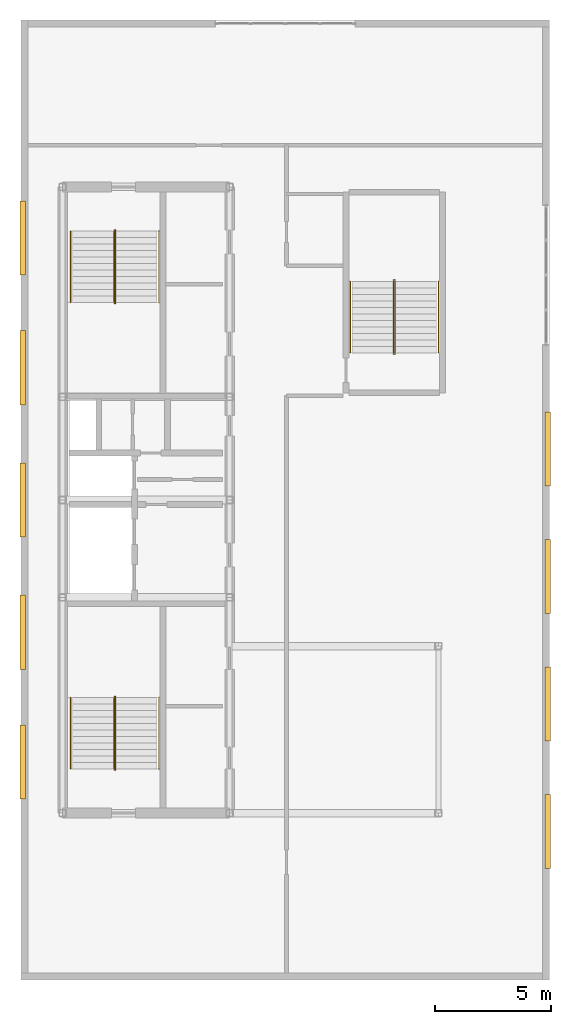
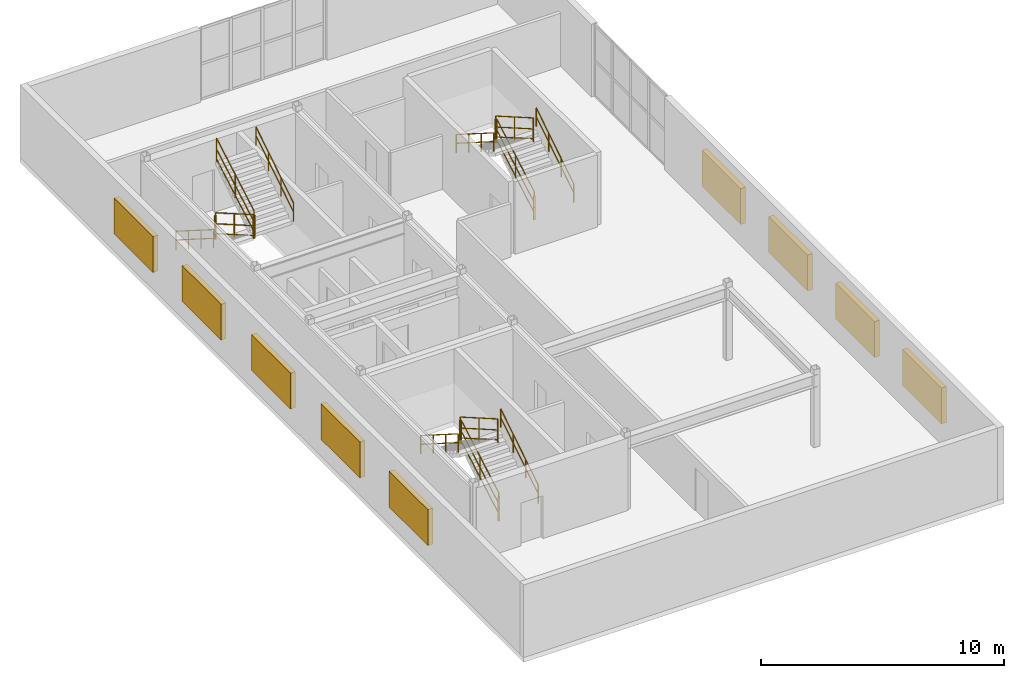
# One storey, part 7 of 7: 18 railings, 9 shading devices.
"""IFC4 building model written with IfcOpenShell, lengths in metres."""

from ifc_helpers import new_model, entity, si_unit, converted_unit, direction, frame, origin_with_axes, origin_2d_with_axis, place, context, subcontext, project, spatial, rectangle, circle, extrude, material, type_object, element, save


model = new_model("IFC4")

# Units and contexts
model_context = context("Model", 3, precision=1e-05, world=origin_with_axes(), true_north=direction((0.0, 1.0)))
body_context = subcontext(model_context, "Body", "Model", "MODEL_VIEW")
ifc_project = project(units=[si_unit("LENGTHUNIT", "METRE"), si_unit("AREAUNIT", "SQUARE_METRE"), si_unit("VOLUMEUNIT", "CUBIC_METRE"), converted_unit("PLANEANGLEUNIT", "DEGREE", entity("IfcPlaneAngleMeasure", 0.017453292519943295), si_unit("PLANEANGLEUNIT", "RADIAN"), dimensions=[0, 0, 0, 0, 0, 0, 0]), si_unit("MASSUNIT", "GRAM", prefix="KILO"), si_unit("THERMODYNAMICTEMPERATUREUNIT", "KELVIN")], contexts=[model_context])

# Site, building, storey
site_placement = place(None, origin_with_axes())
site = spatial("IfcSite", under=ifc_project, at=site_placement, CompositionType="ELEMENT")
building_placement = place(site_placement, origin_with_axes())
building = spatial("IfcBuilding", under=site, at=building_placement, Name="Varnlund Millrace Tower", CompositionType="ELEMENT")
storey_placement = place(building_placement, frame((0.0, 0.0, 312.6), z_axis=(0.0, 0.0, 1.0), x_axis=(1.0, 0.0, 0.0)))
storey = spatial("IfcBuildingStorey", under=building, at=storey_placement, Name="L77", CompositionType="ELEMENT", Elevation=312.6)

# Shading devices
ifc_material_1 = material(Name="Architectural bronze cold-climate intake louvre", Category="aluminium")
shading_device_type = type_object("IfcShadingDeviceType", Name="Type-Shade-CrownLouvre-JAL", PredefinedType="JALOUSIE", material=ifc_material_1)
for number, where, z_axis, x_axis, name in (
    (1, (9.68, 13.0, 0.9), (0.0, 0.0, 1.0), (0.0, 1.0, 0.0), "Type-Shade-CrownLouvre-JAL"),
    (2, (9.68, 18.6, 0.9), (0.0, 0.0, 1.0), (0.0, 1.0, 0.0), "Type-Shade-CrownLouvre-JAL"),
    (3, (9.68, 24.3, 0.9), (0.0, 0.0, 1.0), (0.0, 1.0, 0.0), "Type-Shade-CrownLouvre-JAL"),
    (4, (9.68, 30.0, 0.9), (0.0, 0.0, 1.0), (0.0, 1.0, 0.0), "Type-Shade-CrownLouvre-JAL"),
    (5, (9.68, 35.6, 0.9), (0.0, 0.0, 1.0), (0.0, 1.0, 0.0), "Type-Shade-CrownLouvre-JAL"),
    (6, (32.32, 10.0, 0.9), (0.0, 0.0, 1.0), (0.0, 1.0, 0.0), "Type-Shade-CrownLouvre-JAL"),
    (7, (32.32, 15.5, 0.9), (0.0, 0.0, 1.0), (0.0, 1.0, 0.0), "Type-Shade-CrownLouvre-JAL"),
    (8, (32.32, 21.0, 0.9), (0.0, 0.0, 1.0), (0.0, 1.0, 0.0), "Type-Shade-CrownLouvre-JAL"),
    (9, (32.32, 26.5, 0.9), (0.0, 0.0, 1.0), (0.0, 1.0, 0.0), "Type-Shade-CrownLouvre-JAL"),
):
    element("IfcShadingDevice", number, at=place(storey_placement, frame(where, z_axis=z_axis, x_axis=x_axis)), inside=storey, type_object=shading_device_type, Name=name, PredefinedType="JALOUSIE", context=body_context, shape_type="SweptSolid", body=[
        extrude(rectangle(XDim=3.2, YDim=0.24, at=origin_2d_with_axis()), origin_with_axes(), (0.0, 0.0, 1.0), 1.8),
    ])

# Railings
ifc_material_2 = material(Name="Painted steel stair well balustrade guard", Category="steel")
railing_type_1 = type_object("IfcRailingType", Name="Type-StairGuard-1150", PredefinedType="GUARDRAIL", material=ifc_material_2)
railing_1_placement = place(storey_placement, frame((0.0, 0.0, -312.6), z_axis=(0.0, 0.0, 1.0), x_axis=(1.0, 0.0, 0.0)))
element("IfcRailing", 10, at=railing_1_placement, inside=storey, type_object=railing_type_1, Name="Type-StairGuard-1150", PredefinedType="GUARDRAIL", context=body_context, shape_type="SweptSolid", body=[
    extrude(circle(Radius=0.024, at=origin_2d_with_axis()), frame((13.675, 12.7, 313.927273), z_axis=(0.0, 0.866696, 0.498836), x_axis=(-1.0, 0.0, 0.0)), (0.0, 0.0, 1.0), 3.553725),
    extrude(circle(Radius=0.024, at=origin_2d_with_axis()), frame((13.675, 12.7, 312.877273), z_axis=(0.0, 0.866696, 0.498836), x_axis=(-1.0, 0.0, 0.0)), (0.0, 0.0, 1.0), 3.553725),
    extrude(circle(Radius=0.024, at=origin_2d_with_axis()), frame((13.675, 12.7, 313.375273), z_axis=(0.0, 0.866696, 0.498836), x_axis=(-1.0, 0.0, 0.0)), (0.0, 0.0, 1.0), 3.553725),
    extrude(rectangle(XDim=0.04, YDim=0.04, at=origin_2d_with_axis()), frame((13.675, 12.7, 312.737273), z_axis=(0.0, 0.0, 1.0), x_axis=(1.0, 0.0, 0.0)), (0.0, 0.0, 1.0), 1.19),
    extrude(rectangle(XDim=0.04, YDim=0.04, at=origin_2d_with_axis()), frame((13.675, 14.24, 313.623636), z_axis=(0.0, 0.0, 1.0), x_axis=(1.0, 0.0, 0.0)), (0.0, 0.0, 1.0), 1.19),
    extrude(rectangle(XDim=0.04, YDim=0.04, at=origin_2d_with_axis()), frame((13.675, 15.78, 314.51), z_axis=(0.0, 0.0, 1.0), x_axis=(1.0, 0.0, 0.0)), (0.0, 0.0, 1.0), 1.19),
])
railing_2_placement = place(storey_placement, frame((0.0, 0.0, -312.6), z_axis=(0.0, 0.0, 1.0), x_axis=(1.0, 0.0, 0.0)))
element("IfcRailing", 11, at=railing_2_placement, inside=storey, type_object=railing_type_1, Name="Type-StairGuard-1150", PredefinedType="GUARDRAIL", context=body_context, shape_type="SweptSolid", body=[
    extrude(circle(Radius=0.024, at=origin_2d_with_axis()), frame((13.625, 15.83, 315.7), z_axis=(1.0, 0.0, 0.0), x_axis=(0.0, 1.0, 0.0)), (0.0, 0.0, 1.0), 0.05),
    extrude(circle(Radius=0.024, at=origin_2d_with_axis()), frame((13.625, 15.83, 314.65), z_axis=(1.0, 0.0, 0.0), x_axis=(0.0, 1.0, 0.0)), (0.0, 0.0, 1.0), 0.05),
    extrude(circle(Radius=0.024, at=origin_2d_with_axis()), frame((13.625, 15.83, 315.148), z_axis=(1.0, 0.0, 0.0), x_axis=(0.0, 1.0, 0.0)), (0.0, 0.0, 1.0), 0.05),
    extrude(rectangle(XDim=0.04, YDim=0.04, at=origin_2d_with_axis()), frame((13.625, 15.83, 314.51), z_axis=(0.0, 0.0, 1.0), x_axis=(1.0, 0.0, 0.0)), (0.0, 0.0, 1.0), 1.19),
    extrude(rectangle(XDim=0.04, YDim=0.04, at=origin_2d_with_axis()), frame((13.675, 15.83, 314.51), z_axis=(0.0, 0.0, 1.0), x_axis=(1.0, 0.0, 0.0)), (0.0, 0.0, 1.0), 1.19),
])
railing_3_placement = place(storey_placement, frame((0.0, 0.0, -312.6), z_axis=(0.0, 0.0, 1.0), x_axis=(1.0, 0.0, 0.0)))
element("IfcRailing", 12, at=railing_3_placement, inside=storey, type_object=railing_type_1, Name="Type-StairGuard-1150", PredefinedType="GUARDRAIL", context=body_context, shape_type="SweptSolid", body=[
    extrude(circle(Radius=0.024, at=origin_2d_with_axis()), frame((13.625, 15.78, 315.877273), z_axis=(0.0, -0.866696, 0.498836), x_axis=(1.0, 0.0, 0.0)), (0.0, 0.0, 1.0), 3.553725),
    extrude(circle(Radius=0.024, at=origin_2d_with_axis()), frame((13.625, 15.78, 314.827273), z_axis=(0.0, -0.866696, 0.498836), x_axis=(1.0, 0.0, 0.0)), (0.0, 0.0, 1.0), 3.553725),
    extrude(circle(Radius=0.024, at=origin_2d_with_axis()), frame((13.625, 15.78, 315.325273), z_axis=(0.0, -0.866696, 0.498836), x_axis=(1.0, 0.0, 0.0)), (0.0, 0.0, 1.0), 3.553725),
    extrude(rectangle(XDim=0.04, YDim=0.04, at=origin_2d_with_axis()), frame((13.625, 15.78, 314.687273), z_axis=(0.0, 0.0, 1.0), x_axis=(1.0, 0.0, 0.0)), (0.0, 0.0, 1.0), 1.19),
    extrude(rectangle(XDim=0.04, YDim=0.04, at=origin_2d_with_axis()), frame((13.625, 14.24, 315.573636), z_axis=(0.0, 0.0, 1.0), x_axis=(1.0, 0.0, 0.0)), (0.0, 0.0, 1.0), 1.19),
    extrude(rectangle(XDim=0.04, YDim=0.04, at=origin_2d_with_axis()), frame((13.625, 12.7, 316.46), z_axis=(0.0, 0.0, 1.0), x_axis=(1.0, 0.0, 0.0)), (0.0, 0.0, 1.0), 1.19),
])
railing_4_placement = place(storey_placement, frame((0.0, 0.0, -312.6), z_axis=(0.0, 0.0, 1.0), x_axis=(1.0, 0.0, 0.0)))
element("IfcRailing", 13, at=railing_4_placement, inside=storey, type_object=railing_type_1, Name="Type-StairGuard-1150", PredefinedType="GUARDRAIL", context=body_context, shape_type="SweptSolid", body=[
    extrude(circle(Radius=0.024, at=origin_2d_with_axis()), frame((13.625, 12.65, 313.75), z_axis=(1.0, 0.0, 0.0), x_axis=(0.0, 1.0, 0.0)), (0.0, 0.0, 1.0), 0.05),
    extrude(circle(Radius=0.024, at=origin_2d_with_axis()), frame((13.625, 12.65, 312.7), z_axis=(1.0, 0.0, 0.0), x_axis=(0.0, 1.0, 0.0)), (0.0, 0.0, 1.0), 0.05),
    extrude(circle(Radius=0.024, at=origin_2d_with_axis()), frame((13.625, 12.65, 313.198), z_axis=(1.0, 0.0, 0.0), x_axis=(0.0, 1.0, 0.0)), (0.0, 0.0, 1.0), 0.05),
    extrude(rectangle(XDim=0.04, YDim=0.04, at=origin_2d_with_axis()), frame((13.625, 12.65, 312.56), z_axis=(0.0, 0.0, 1.0), x_axis=(1.0, 0.0, 0.0)), (0.0, 0.0, 1.0), 1.19),
    extrude(rectangle(XDim=0.04, YDim=0.04, at=origin_2d_with_axis()), frame((13.675, 12.65, 312.56), z_axis=(0.0, 0.0, 1.0), x_axis=(1.0, 0.0, 0.0)), (0.0, 0.0, 1.0), 1.19),
])
railing_5_placement = place(storey_placement, frame((0.0, 0.0, -312.6), z_axis=(0.0, 0.0, 1.0), x_axis=(1.0, 0.0, 0.0)))
element("IfcRailing", 14, at=railing_5_placement, inside=storey, type_object=railing_type_1, Name="Type-StairGuard-1150", PredefinedType="GUARDRAIL", context=body_context, shape_type="SweptSolid", body=[
    extrude(circle(Radius=0.024, at=origin_2d_with_axis()), frame((13.625, 35.9, 313.927273), z_axis=(0.0, -0.866696, 0.498836), x_axis=(1.0, 0.0, 0.0)), (0.0, 0.0, 1.0), 3.553725),
    extrude(circle(Radius=0.024, at=origin_2d_with_axis()), frame((13.625, 35.9, 312.877273), z_axis=(0.0, -0.866696, 0.498836), x_axis=(1.0, 0.0, 0.0)), (0.0, 0.0, 1.0), 3.553725),
    extrude(circle(Radius=0.024, at=origin_2d_with_axis()), frame((13.625, 35.9, 313.375273), z_axis=(0.0, -0.866696, 0.498836), x_axis=(1.0, 0.0, 0.0)), (0.0, 0.0, 1.0), 3.553725),
    extrude(rectangle(XDim=0.04, YDim=0.04, at=origin_2d_with_axis()), frame((13.625, 35.9, 312.737273), z_axis=(0.0, 0.0, 1.0), x_axis=(1.0, 0.0, 0.0)), (0.0, 0.0, 1.0), 1.19),
    extrude(rectangle(XDim=0.04, YDim=0.04, at=origin_2d_with_axis()), frame((13.625, 34.36, 313.623636), z_axis=(0.0, 0.0, 1.0), x_axis=(1.0, 0.0, 0.0)), (0.0, 0.0, 1.0), 1.19),
    extrude(rectangle(XDim=0.04, YDim=0.04, at=origin_2d_with_axis()), frame((13.625, 32.82, 314.51), z_axis=(0.0, 0.0, 1.0), x_axis=(1.0, 0.0, 0.0)), (0.0, 0.0, 1.0), 1.19),
])
railing_6_placement = place(storey_placement, frame((0.0, 0.0, -312.6), z_axis=(0.0, 0.0, 1.0), x_axis=(1.0, 0.0, 0.0)))
element("IfcRailing", 15, at=railing_6_placement, inside=storey, type_object=railing_type_1, Name="Type-StairGuard-1150", PredefinedType="GUARDRAIL", context=body_context, shape_type="SweptSolid", body=[
    extrude(circle(Radius=0.024, at=origin_2d_with_axis()), frame((13.675, 32.77, 315.7), z_axis=(-1.0, 0.0, 0.0), x_axis=(0.0, -1.0, 0.0)), (0.0, 0.0, 1.0), 0.05),
    extrude(circle(Radius=0.024, at=origin_2d_with_axis()), frame((13.675, 32.77, 314.65), z_axis=(-1.0, 0.0, 0.0), x_axis=(0.0, -1.0, 0.0)), (0.0, 0.0, 1.0), 0.05),
    extrude(circle(Radius=0.024, at=origin_2d_with_axis()), frame((13.675, 32.77, 315.148), z_axis=(-1.0, 0.0, 0.0), x_axis=(0.0, -1.0, 0.0)), (0.0, 0.0, 1.0), 0.05),
    extrude(rectangle(XDim=0.04, YDim=0.04, at=origin_2d_with_axis()), frame((13.675, 32.77, 314.51), z_axis=(0.0, 0.0, 1.0), x_axis=(1.0, 0.0, 0.0)), (0.0, 0.0, 1.0), 1.19),
    extrude(rectangle(XDim=0.04, YDim=0.04, at=origin_2d_with_axis()), frame((13.625, 32.77, 314.51), z_axis=(0.0, 0.0, 1.0), x_axis=(1.0, 0.0, 0.0)), (0.0, 0.0, 1.0), 1.19),
])
railing_7_placement = place(storey_placement, frame((0.0, 0.0, -312.6), z_axis=(0.0, 0.0, 1.0), x_axis=(1.0, 0.0, 0.0)))
element("IfcRailing", 16, at=railing_7_placement, inside=storey, type_object=railing_type_1, Name="Type-StairGuard-1150", PredefinedType="GUARDRAIL", context=body_context, shape_type="SweptSolid", body=[
    extrude(circle(Radius=0.024, at=origin_2d_with_axis()), frame((13.675, 32.82, 315.877273), z_axis=(0.0, 0.866696, 0.498836), x_axis=(-1.0, 0.0, 0.0)), (0.0, 0.0, 1.0), 3.553725),
    extrude(circle(Radius=0.024, at=origin_2d_with_axis()), frame((13.675, 32.82, 314.827273), z_axis=(0.0, 0.866696, 0.498836), x_axis=(-1.0, 0.0, 0.0)), (0.0, 0.0, 1.0), 3.553725),
    extrude(circle(Radius=0.024, at=origin_2d_with_axis()), frame((13.675, 32.82, 315.325273), z_axis=(0.0, 0.866696, 0.498836), x_axis=(-1.0, 0.0, 0.0)), (0.0, 0.0, 1.0), 3.553725),
    extrude(rectangle(XDim=0.04, YDim=0.04, at=origin_2d_with_axis()), frame((13.675, 32.82, 314.687273), z_axis=(0.0, 0.0, 1.0), x_axis=(1.0, 0.0, 0.0)), (0.0, 0.0, 1.0), 1.19),
    extrude(rectangle(XDim=0.04, YDim=0.04, at=origin_2d_with_axis()), frame((13.675, 34.36, 315.573636), z_axis=(0.0, 0.0, 1.0), x_axis=(1.0, 0.0, 0.0)), (0.0, 0.0, 1.0), 1.19),
    extrude(rectangle(XDim=0.04, YDim=0.04, at=origin_2d_with_axis()), frame((13.675, 35.9, 316.46), z_axis=(0.0, 0.0, 1.0), x_axis=(1.0, 0.0, 0.0)), (0.0, 0.0, 1.0), 1.19),
])
railing_8_placement = place(storey_placement, frame((0.0, 0.0, -312.6), z_axis=(0.0, 0.0, 1.0), x_axis=(1.0, 0.0, 0.0)))
element("IfcRailing", 17, at=railing_8_placement, inside=storey, type_object=railing_type_1, Name="Type-StairGuard-1150", PredefinedType="GUARDRAIL", context=body_context, shape_type="SweptSolid", body=[
    extrude(circle(Radius=0.024, at=origin_2d_with_axis()), frame((13.675, 35.95, 313.75), z_axis=(-1.0, 0.0, 0.0), x_axis=(0.0, -1.0, 0.0)), (0.0, 0.0, 1.0), 0.05),
    extrude(circle(Radius=0.024, at=origin_2d_with_axis()), frame((13.675, 35.95, 312.7), z_axis=(-1.0, 0.0, 0.0), x_axis=(0.0, -1.0, 0.0)), (0.0, 0.0, 1.0), 0.05),
    extrude(circle(Radius=0.024, at=origin_2d_with_axis()), frame((13.675, 35.95, 313.198), z_axis=(-1.0, 0.0, 0.0), x_axis=(0.0, -1.0, 0.0)), (0.0, 0.0, 1.0), 0.05),
    extrude(rectangle(XDim=0.04, YDim=0.04, at=origin_2d_with_axis()), frame((13.675, 35.95, 312.56), z_axis=(0.0, 0.0, 1.0), x_axis=(1.0, 0.0, 0.0)), (0.0, 0.0, 1.0), 1.19),
    extrude(rectangle(XDim=0.04, YDim=0.04, at=origin_2d_with_axis()), frame((13.625, 35.95, 312.56), z_axis=(0.0, 0.0, 1.0), x_axis=(1.0, 0.0, 0.0)), (0.0, 0.0, 1.0), 1.19),
])
railing_9_placement = place(storey_placement, frame((0.0, 0.0, -312.6), z_axis=(0.0, 0.0, 1.0), x_axis=(1.0, 0.0, 0.0)))
element("IfcRailing", 18, at=railing_9_placement, inside=storey, type_object=railing_type_1, Name="Type-StairGuard-1150", PredefinedType="GUARDRAIL", context=body_context, shape_type="SweptSolid", body=[
    extrude(circle(Radius=0.024, at=origin_2d_with_axis()), frame((25.725, 30.65, 313.927273), z_axis=(0.0, 0.866696, 0.498836), x_axis=(-1.0, 0.0, 0.0)), (0.0, 0.0, 1.0), 3.553725),
    extrude(circle(Radius=0.024, at=origin_2d_with_axis()), frame((25.725, 30.65, 312.877273), z_axis=(0.0, 0.866696, 0.498836), x_axis=(-1.0, 0.0, 0.0)), (0.0, 0.0, 1.0), 3.553725),
    extrude(circle(Radius=0.024, at=origin_2d_with_axis()), frame((25.725, 30.65, 313.375273), z_axis=(0.0, 0.866696, 0.498836), x_axis=(-1.0, 0.0, 0.0)), (0.0, 0.0, 1.0), 3.553725),
    extrude(rectangle(XDim=0.04, YDim=0.04, at=origin_2d_with_axis()), frame((25.725, 30.65, 312.737273), z_axis=(0.0, 0.0, 1.0), x_axis=(1.0, 0.0, 0.0)), (0.0, 0.0, 1.0), 1.19),
    extrude(rectangle(XDim=0.04, YDim=0.04, at=origin_2d_with_axis()), frame((25.725, 32.19, 313.623636), z_axis=(0.0, 0.0, 1.0), x_axis=(1.0, 0.0, 0.0)), (0.0, 0.0, 1.0), 1.19),
    extrude(rectangle(XDim=0.04, YDim=0.04, at=origin_2d_with_axis()), frame((25.725, 33.73, 314.51), z_axis=(0.0, 0.0, 1.0), x_axis=(1.0, 0.0, 0.0)), (0.0, 0.0, 1.0), 1.19),
])
railing_10_placement = place(storey_placement, frame((0.0, 0.0, -312.6), z_axis=(0.0, 0.0, 1.0), x_axis=(1.0, 0.0, 0.0)))
element("IfcRailing", 19, at=railing_10_placement, inside=storey, type_object=railing_type_1, Name="Type-StairGuard-1150", PredefinedType="GUARDRAIL", context=body_context, shape_type="SweptSolid", body=[
    extrude(circle(Radius=0.024, at=origin_2d_with_axis()), frame((25.675, 33.78, 315.7), z_axis=(1.0, 0.0, 0.0), x_axis=(0.0, 1.0, 0.0)), (0.0, 0.0, 1.0), 0.05),
    extrude(circle(Radius=0.024, at=origin_2d_with_axis()), frame((25.675, 33.78, 314.65), z_axis=(1.0, 0.0, 0.0), x_axis=(0.0, 1.0, 0.0)), (0.0, 0.0, 1.0), 0.05),
    extrude(circle(Radius=0.024, at=origin_2d_with_axis()), frame((25.675, 33.78, 315.148), z_axis=(1.0, 0.0, 0.0), x_axis=(0.0, 1.0, 0.0)), (0.0, 0.0, 1.0), 0.05),
    extrude(rectangle(XDim=0.04, YDim=0.04, at=origin_2d_with_axis()), frame((25.675, 33.78, 314.51), z_axis=(0.0, 0.0, 1.0), x_axis=(1.0, 0.0, 0.0)), (0.0, 0.0, 1.0), 1.19),
    extrude(rectangle(XDim=0.04, YDim=0.04, at=origin_2d_with_axis()), frame((25.725, 33.78, 314.51), z_axis=(0.0, 0.0, 1.0), x_axis=(1.0, 0.0, 0.0)), (0.0, 0.0, 1.0), 1.19),
])
railing_11_placement = place(storey_placement, frame((0.0, 0.0, -312.6), z_axis=(0.0, 0.0, 1.0), x_axis=(1.0, 0.0, 0.0)))
element("IfcRailing", 20, at=railing_11_placement, inside=storey, type_object=railing_type_1, Name="Type-StairGuard-1150", PredefinedType="GUARDRAIL", context=body_context, shape_type="SweptSolid", body=[
    extrude(circle(Radius=0.024, at=origin_2d_with_axis()), frame((25.675, 33.73, 315.877273), z_axis=(0.0, -0.866696, 0.498836), x_axis=(1.0, 0.0, 0.0)), (0.0, 0.0, 1.0), 3.553725),
    extrude(circle(Radius=0.024, at=origin_2d_with_axis()), frame((25.675, 33.73, 314.827273), z_axis=(0.0, -0.866696, 0.498836), x_axis=(1.0, 0.0, 0.0)), (0.0, 0.0, 1.0), 3.553725),
    extrude(circle(Radius=0.024, at=origin_2d_with_axis()), frame((25.675, 33.73, 315.325273), z_axis=(0.0, -0.866696, 0.498836), x_axis=(1.0, 0.0, 0.0)), (0.0, 0.0, 1.0), 3.553725),
    extrude(rectangle(XDim=0.04, YDim=0.04, at=origin_2d_with_axis()), frame((25.675, 33.73, 314.687273), z_axis=(0.0, 0.0, 1.0), x_axis=(1.0, 0.0, 0.0)), (0.0, 0.0, 1.0), 1.19),
    extrude(rectangle(XDim=0.04, YDim=0.04, at=origin_2d_with_axis()), frame((25.675, 32.19, 315.573636), z_axis=(0.0, 0.0, 1.0), x_axis=(1.0, 0.0, 0.0)), (0.0, 0.0, 1.0), 1.19),
    extrude(rectangle(XDim=0.04, YDim=0.04, at=origin_2d_with_axis()), frame((25.675, 30.65, 316.46), z_axis=(0.0, 0.0, 1.0), x_axis=(1.0, 0.0, 0.0)), (0.0, 0.0, 1.0), 1.19),
])
railing_12_placement = place(storey_placement, frame((0.0, 0.0, -312.6), z_axis=(0.0, 0.0, 1.0), x_axis=(1.0, 0.0, 0.0)))
element("IfcRailing", 21, at=railing_12_placement, inside=storey, type_object=railing_type_1, Name="Type-StairGuard-1150", PredefinedType="GUARDRAIL", context=body_context, shape_type="SweptSolid", body=[
    extrude(circle(Radius=0.024, at=origin_2d_with_axis()), frame((25.675, 30.6, 313.75), z_axis=(1.0, 0.0, 0.0), x_axis=(0.0, 1.0, 0.0)), (0.0, 0.0, 1.0), 0.05),
    extrude(circle(Radius=0.024, at=origin_2d_with_axis()), frame((25.675, 30.6, 312.7), z_axis=(1.0, 0.0, 0.0), x_axis=(0.0, 1.0, 0.0)), (0.0, 0.0, 1.0), 0.05),
    extrude(circle(Radius=0.024, at=origin_2d_with_axis()), frame((25.675, 30.6, 313.198), z_axis=(1.0, 0.0, 0.0), x_axis=(0.0, 1.0, 0.0)), (0.0, 0.0, 1.0), 0.05),
    extrude(rectangle(XDim=0.04, YDim=0.04, at=origin_2d_with_axis()), frame((25.675, 30.6, 312.56), z_axis=(0.0, 0.0, 1.0), x_axis=(1.0, 0.0, 0.0)), (0.0, 0.0, 1.0), 1.19),
    extrude(rectangle(XDim=0.04, YDim=0.04, at=origin_2d_with_axis()), frame((25.725, 30.6, 312.56), z_axis=(0.0, 0.0, 1.0), x_axis=(1.0, 0.0, 0.0)), (0.0, 0.0, 1.0), 1.19),
])
ifc_material_3 = material(Name="Brushed architectural bronze stair handrail", Category="aluminium")
railing_type_2 = type_object("IfcRailingType", Name="Type-StairHandrail-900", PredefinedType="HANDRAIL", material=ifc_material_3)
railing_13_placement = place(storey_placement, frame((0.0, 0.0, -312.6), z_axis=(0.0, 0.0, 1.0), x_axis=(1.0, 0.0, 0.0)))
element("IfcRailing", 22, at=railing_13_placement, inside=storey, type_object=railing_type_2, Name="Type-StairHandrail-900", PredefinedType="HANDRAIL", context=body_context, shape_type="SweptSolid", body=[
    extrude(circle(Radius=0.024, at=origin_2d_with_axis()), frame((15.55, 12.7, 313.656995), z_axis=(0.0, 0.844902, 0.534922), x_axis=(-1.0, 0.0, 0.0)), (0.0, 0.0, 1.0), 3.645394),
    extrude(circle(Radius=0.024, at=origin_2d_with_axis()), frame((15.55, 12.7, 313.217134), z_axis=(0.0, 0.844902, 0.534922), x_axis=(-1.0, 0.0, 0.0)), (0.0, 0.0, 1.0), 3.645394),
    extrude(rectangle(XDim=0.04, YDim=0.04, at=origin_2d_with_axis()), frame((15.55, 12.7, 312.737273), z_axis=(0.0, 0.0, 1.0), x_axis=(1.0, 0.0, 0.0)), (0.0, 0.0, 1.0), 0.919722),
    extrude(rectangle(XDim=0.04, YDim=0.04, at=origin_2d_with_axis()), frame((15.55, 13.726667, 313.387273), z_axis=(0.0, 0.0, 1.0), x_axis=(1.0, 0.0, 0.0)), (0.0, 0.0, 1.0), 0.919722),
    extrude(rectangle(XDim=0.04, YDim=0.04, at=origin_2d_with_axis()), frame((15.55, 14.753333, 314.037273), z_axis=(0.0, 0.0, 1.0), x_axis=(1.0, 0.0, 0.0)), (0.0, 0.0, 1.0), 0.919722),
    extrude(rectangle(XDim=0.04, YDim=0.04, at=origin_2d_with_axis()), frame((15.55, 15.78, 314.687273), z_axis=(0.0, 0.0, 1.0), x_axis=(1.0, 0.0, 0.0)), (0.0, 0.0, 1.0), 0.919722),
])
railing_14_placement = place(storey_placement, frame((0.0, 0.0, -312.6), z_axis=(0.0, 0.0, 1.0), x_axis=(1.0, 0.0, 0.0)))
element("IfcRailing", 23, at=railing_14_placement, inside=storey, type_object=railing_type_2, Name="Type-StairHandrail-900", PredefinedType="HANDRAIL", context=body_context, shape_type="SweptSolid", body=[
    extrude(circle(Radius=0.024, at=origin_2d_with_axis()), frame((11.75, 15.78, 315.606995), z_axis=(0.0, -0.844902, 0.534922), x_axis=(1.0, 0.0, 0.0)), (0.0, 0.0, 1.0), 3.645394),
    extrude(circle(Radius=0.024, at=origin_2d_with_axis()), frame((11.75, 15.78, 315.167134), z_axis=(0.0, -0.844902, 0.534922), x_axis=(1.0, 0.0, 0.0)), (0.0, 0.0, 1.0), 3.645394),
    extrude(rectangle(XDim=0.04, YDim=0.04, at=origin_2d_with_axis()), frame((11.75, 15.78, 314.687273), z_axis=(0.0, 0.0, 1.0), x_axis=(1.0, 0.0, 0.0)), (0.0, 0.0, 1.0), 0.919722),
    extrude(rectangle(XDim=0.04, YDim=0.04, at=origin_2d_with_axis()), frame((11.75, 14.753333, 315.337273), z_axis=(0.0, 0.0, 1.0), x_axis=(1.0, 0.0, 0.0)), (0.0, 0.0, 1.0), 0.919722),
    extrude(rectangle(XDim=0.04, YDim=0.04, at=origin_2d_with_axis()), frame((11.75, 13.726667, 315.987273), z_axis=(0.0, 0.0, 1.0), x_axis=(1.0, 0.0, 0.0)), (0.0, 0.0, 1.0), 0.919722),
    extrude(rectangle(XDim=0.04, YDim=0.04, at=origin_2d_with_axis()), frame((11.75, 12.7, 316.637273), z_axis=(0.0, 0.0, 1.0), x_axis=(1.0, 0.0, 0.0)), (0.0, 0.0, 1.0), 0.919722),
])
railing_15_placement = place(storey_placement, frame((0.0, 0.0, -312.6), z_axis=(0.0, 0.0, 1.0), x_axis=(1.0, 0.0, 0.0)))
element("IfcRailing", 24, at=railing_15_placement, inside=storey, type_object=railing_type_2, Name="Type-StairHandrail-900", PredefinedType="HANDRAIL", context=body_context, shape_type="SweptSolid", body=[
    extrude(circle(Radius=0.024, at=origin_2d_with_axis()), frame((11.75, 35.9, 313.656995), z_axis=(0.0, -0.844902, 0.534922), x_axis=(1.0, 0.0, 0.0)), (0.0, 0.0, 1.0), 3.645394),
    extrude(circle(Radius=0.024, at=origin_2d_with_axis()), frame((11.75, 35.9, 313.217134), z_axis=(0.0, -0.844902, 0.534922), x_axis=(1.0, 0.0, 0.0)), (0.0, 0.0, 1.0), 3.645394),
    extrude(rectangle(XDim=0.04, YDim=0.04, at=origin_2d_with_axis()), frame((11.75, 35.9, 312.737273), z_axis=(0.0, 0.0, 1.0), x_axis=(1.0, 0.0, 0.0)), (0.0, 0.0, 1.0), 0.919722),
    extrude(rectangle(XDim=0.04, YDim=0.04, at=origin_2d_with_axis()), frame((11.75, 34.873333, 313.387273), z_axis=(0.0, 0.0, 1.0), x_axis=(1.0, 0.0, 0.0)), (0.0, 0.0, 1.0), 0.919722),
    extrude(rectangle(XDim=0.04, YDim=0.04, at=origin_2d_with_axis()), frame((11.75, 33.846667, 314.037273), z_axis=(0.0, 0.0, 1.0), x_axis=(1.0, 0.0, 0.0)), (0.0, 0.0, 1.0), 0.919722),
    extrude(rectangle(XDim=0.04, YDim=0.04, at=origin_2d_with_axis()), frame((11.75, 32.82, 314.687273), z_axis=(0.0, 0.0, 1.0), x_axis=(1.0, 0.0, 0.0)), (0.0, 0.0, 1.0), 0.919722),
])
railing_16_placement = place(storey_placement, frame((0.0, 0.0, -312.6), z_axis=(0.0, 0.0, 1.0), x_axis=(1.0, 0.0, 0.0)))
element("IfcRailing", 25, at=railing_16_placement, inside=storey, type_object=railing_type_2, Name="Type-StairHandrail-900", PredefinedType="HANDRAIL", context=body_context, shape_type="SweptSolid", body=[
    extrude(circle(Radius=0.024, at=origin_2d_with_axis()), frame((15.55, 32.82, 315.606995), z_axis=(0.0, 0.844902, 0.534922), x_axis=(-1.0, 0.0, 0.0)), (0.0, 0.0, 1.0), 3.645394),
    extrude(circle(Radius=0.024, at=origin_2d_with_axis()), frame((15.55, 32.82, 315.167134), z_axis=(0.0, 0.844902, 0.534922), x_axis=(-1.0, 0.0, 0.0)), (0.0, 0.0, 1.0), 3.645394),
    extrude(rectangle(XDim=0.04, YDim=0.04, at=origin_2d_with_axis()), frame((15.55, 32.82, 314.687273), z_axis=(0.0, 0.0, 1.0), x_axis=(1.0, 0.0, 0.0)), (0.0, 0.0, 1.0), 0.919722),
    extrude(rectangle(XDim=0.04, YDim=0.04, at=origin_2d_with_axis()), frame((15.55, 33.846667, 315.337273), z_axis=(0.0, 0.0, 1.0), x_axis=(1.0, 0.0, 0.0)), (0.0, 0.0, 1.0), 0.919722),
    extrude(rectangle(XDim=0.04, YDim=0.04, at=origin_2d_with_axis()), frame((15.55, 34.873333, 315.987273), z_axis=(0.0, 0.0, 1.0), x_axis=(1.0, 0.0, 0.0)), (0.0, 0.0, 1.0), 0.919722),
    extrude(rectangle(XDim=0.04, YDim=0.04, at=origin_2d_with_axis()), frame((15.55, 35.9, 316.637273), z_axis=(0.0, 0.0, 1.0), x_axis=(1.0, 0.0, 0.0)), (0.0, 0.0, 1.0), 0.919722),
])
railing_17_placement = place(storey_placement, frame((0.0, 0.0, -312.6), z_axis=(0.0, 0.0, 1.0), x_axis=(1.0, 0.0, 0.0)))
element("IfcRailing", 26, at=railing_17_placement, inside=storey, type_object=railing_type_2, Name="Type-StairHandrail-900", PredefinedType="HANDRAIL", context=body_context, shape_type="SweptSolid", body=[
    extrude(circle(Radius=0.024, at=origin_2d_with_axis()), frame((27.6, 30.65, 313.656995), z_axis=(0.0, 0.844902, 0.534922), x_axis=(-1.0, 0.0, 0.0)), (0.0, 0.0, 1.0), 3.645394),
    extrude(circle(Radius=0.024, at=origin_2d_with_axis()), frame((27.6, 30.65, 313.217134), z_axis=(0.0, 0.844902, 0.534922), x_axis=(-1.0, 0.0, 0.0)), (0.0, 0.0, 1.0), 3.645394),
    extrude(rectangle(XDim=0.04, YDim=0.04, at=origin_2d_with_axis()), frame((27.6, 30.65, 312.737273), z_axis=(0.0, 0.0, 1.0), x_axis=(1.0, 0.0, 0.0)), (0.0, 0.0, 1.0), 0.919722),
    extrude(rectangle(XDim=0.04, YDim=0.04, at=origin_2d_with_axis()), frame((27.6, 31.676667, 313.387273), z_axis=(0.0, 0.0, 1.0), x_axis=(1.0, 0.0, 0.0)), (0.0, 0.0, 1.0), 0.919722),
    extrude(rectangle(XDim=0.04, YDim=0.04, at=origin_2d_with_axis()), frame((27.6, 32.703333, 314.037273), z_axis=(0.0, 0.0, 1.0), x_axis=(1.0, 0.0, 0.0)), (0.0, 0.0, 1.0), 0.919722),
    extrude(rectangle(XDim=0.04, YDim=0.04, at=origin_2d_with_axis()), frame((27.6, 33.73, 314.687273), z_axis=(0.0, 0.0, 1.0), x_axis=(1.0, 0.0, 0.0)), (0.0, 0.0, 1.0), 0.919722),
])
railing_18_placement = place(storey_placement, frame((0.0, 0.0, -312.6), z_axis=(0.0, 0.0, 1.0), x_axis=(1.0, 0.0, 0.0)))
element("IfcRailing", 27, at=railing_18_placement, inside=storey, type_object=railing_type_2, Name="Type-StairHandrail-900", PredefinedType="HANDRAIL", context=body_context, shape_type="SweptSolid", body=[
    extrude(circle(Radius=0.024, at=origin_2d_with_axis()), frame((23.8, 33.73, 315.606995), z_axis=(0.0, -0.844902, 0.534922), x_axis=(1.0, 0.0, 0.0)), (0.0, 0.0, 1.0), 3.645394),
    extrude(circle(Radius=0.024, at=origin_2d_with_axis()), frame((23.8, 33.73, 315.167134), z_axis=(0.0, -0.844902, 0.534922), x_axis=(1.0, 0.0, 0.0)), (0.0, 0.0, 1.0), 3.645394),
    extrude(rectangle(XDim=0.04, YDim=0.04, at=origin_2d_with_axis()), frame((23.8, 33.73, 314.687273), z_axis=(0.0, 0.0, 1.0), x_axis=(1.0, 0.0, 0.0)), (0.0, 0.0, 1.0), 0.919722),
    extrude(rectangle(XDim=0.04, YDim=0.04, at=origin_2d_with_axis()), frame((23.8, 32.703333, 315.337273), z_axis=(0.0, 0.0, 1.0), x_axis=(1.0, 0.0, 0.0)), (0.0, 0.0, 1.0), 0.919722),
    extrude(rectangle(XDim=0.04, YDim=0.04, at=origin_2d_with_axis()), frame((23.8, 31.676667, 315.987273), z_axis=(0.0, 0.0, 1.0), x_axis=(1.0, 0.0, 0.0)), (0.0, 0.0, 1.0), 0.919722),
    extrude(rectangle(XDim=0.04, YDim=0.04, at=origin_2d_with_axis()), frame((23.8, 30.65, 316.637273), z_axis=(0.0, 0.0, 1.0), x_axis=(1.0, 0.0, 0.0)), (0.0, 0.0, 1.0), 0.919722),
])

save(model, "model.ifc")
